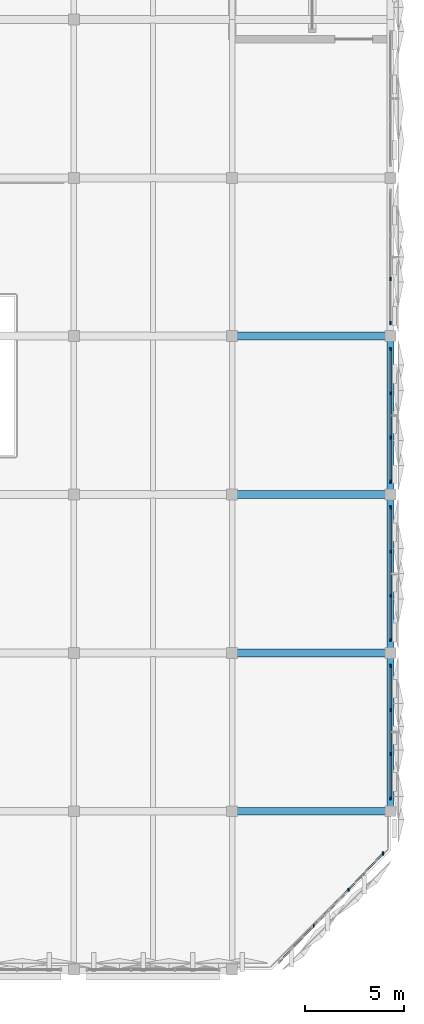
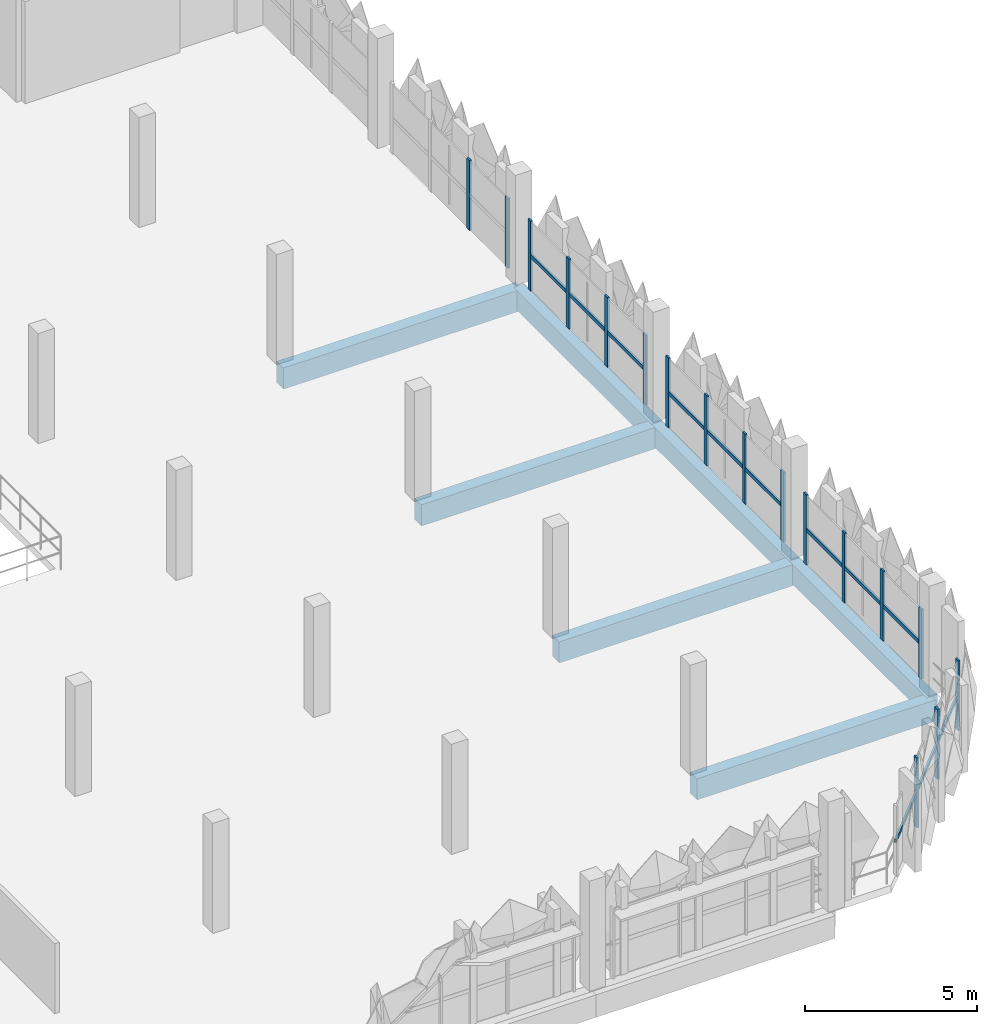
# One storey, part 19 of 83: 21 members, 7 beams, 5 elements without a shape of their own.
"""IFC4 building model written with IfcOpenShell, lengths in metres."""

from ifc_helpers import new_model, si_unit, derived_unit, direction, frame, origin, origin_2d, place, context, subcontext, project, spatial, rectangle, extrude, material, layer, layer_set, material_profile, profile_set, type_object, element, aggregate, save


model = new_model("IFC4")

# Units and contexts
model_context = context("Model", 3, precision=1e-05, world=origin(), true_north=direction((0.0, 1.0)))
body_context = subcontext(model_context, "Body", "Model", "MODEL_VIEW")
ifc_project = project(units=[si_unit("LENGTHUNIT", "METRE"), si_unit("AREAUNIT", "SQUARE_METRE"), si_unit("VOLUMEUNIT", "CUBIC_METRE"), si_unit("PLANEANGLEUNIT", "RADIAN"), si_unit("MASSUNIT", "GRAM", prefix="KILO"), si_unit("THERMODYNAMICTEMPERATUREUNIT", "KELVIN"), derived_unit("THERMALTRANSMITTANCEUNIT", [(si_unit("POWERUNIT", "WATT"), 1), (si_unit("AREAUNIT", "SQUARE_METRE"), -1), (si_unit("THERMODYNAMICTEMPERATUREUNIT", "KELVIN"), -1)])], contexts=[model_context])

# Site, building, storey
site_placement = place(None, origin())
site = spatial("IfcSite", under=ifc_project, at=site_placement, CompositionType="ELEMENT")
building_placement = place(site_placement, origin())
building = spatial("IfcBuilding", under=site, at=building_placement, Name="Haiyu Intermodal Mobility Hub", CompositionType="ELEMENT")
storey_placement = place(building_placement, frame((0.0, 0.0, 13.39990234375)))
storey = spatial("IfcBuildingStorey", under=building, at=storey_placement, Name="L03", CompositionType="ELEMENT", Elevation=13.39990234375)

# Beams
ifc_material_1 = material(Name="Concrete C40", Category="concrete")
ifc_material_profile_1 = material_profile(ifc_material_1, rectangle(XDim=0.39990234375, YDim=0.75, at=origin_2d()), Name="RCB400x750")
ifc_profile_set_1 = profile_set([ifc_material_profile_1], Name="Concrete C40")
beam_type_1 = type_object("IfcBeamType", Name="BM-CB03", PredefinedType="BEAM", material=ifc_profile_set_1)
for number, where, z_axis, x_axis, name in (
    (1, (202.0, 24.0, -0.635009765625), (1.0, 0.0, 0.0), (0.0, 1.0, 0.0), "BM-V5G-L03-013"),
    (2, (202.0, 32.0, -0.635009765625), (1.0, 0.0, 0.0), (0.0, 1.0, 0.0), "BM-V5G-L03-020"),
    (3, (202.0, 40.0, -0.635009765625), (1.0, 0.0, 0.0), (0.0, 1.0, 0.0), "BM-V5G-L03-027"),
    (4, (202.0, 48.0, -0.635009765625), (1.0, 0.0, 0.0), (0.0, 1.0, 0.0), "BM-V5G-L03-034"),
):
    element("IfcBeam", number, at=place(storey_placement, frame(where, z_axis=z_axis, x_axis=x_axis)), inside=storey, type_object=beam_type_1, Name=name, PredefinedType="BEAM", context=body_context, shape_type="SweptSolid", body=[
        extrude(rectangle(XDim=0.39990234375, YDim=0.75, at=origin_2d()), origin(), (0.0, 0.0, 1.0), 8.0),
    ])
ifc_material_profile_2 = material_profile(ifc_material_1, rectangle(XDim=0.35009765625, YDim=0.699951171875, at=origin_2d()), Name="RCB350x700")
ifc_profile_set_2 = profile_set([ifc_material_profile_2], Name="Concrete C40")
beam_type_2 = type_object("IfcBeamType", Name="BM-CB06", PredefinedType="BEAM", material=ifc_profile_set_2)
for number, where, z_axis, x_axis, name in (
    (5, (210.0, 24.0, -0.60986328125), (0.0, 1.0, 0.0), (-1.0, 0.0, 0.0), "BM-V5T-L03-057"),
    (6, (210.0, 32.0, -0.60986328125), (0.0, 1.0, 0.0), (-1.0, 0.0, 0.0), "BM-V5T-L03-058"),
    (7, (210.0, 40.0, -0.60986328125), (0.0, 1.0, 0.0), (-1.0, 0.0, 0.0), "BM-V5T-L03-059"),
):
    element("IfcBeam", number, at=place(storey_placement, frame(where, z_axis=z_axis, x_axis=x_axis)), inside=storey, type_object=beam_type_2, Name=name, PredefinedType="BEAM", context=body_context, shape_type="SweptSolid", body=[
        extrude(rectangle(XDim=0.35009765625, YDim=0.699951171875, at=origin_2d()), origin(), (0.0, 0.0, 1.0), 8.0),
    ])

# Curtain wall, members
ifc_material_2 = material(Name="Low-e laminated insulating glass", Category="glass")
ifc_layer = layer(ifc_material_2, 0.2099609375)
ifc_layer_set = layer_set([ifc_layer], Name="Low-e laminated insulating glass")
curtain_wall_type = type_object("IfcCurtainWallType", Name="CW-CW04", PredefinedType="NOTDEFINED", material=ifc_layer_set)
curtain_wall_1_placement = place(storey_placement, origin())
curtain_wall_1 = element("IfcCurtainWall", 8, at=curtain_wall_1_placement, inside=storey, type_object=curtain_wall_type, Name="Curtain Wall CW-V5E-L03-123", PredefinedType="NOTDEFINED")
ifc_material_3 = material(Name="Anodised aluminium 6063-T6", Category="aluminium")
ifc_material_profile_3 = material_profile(ifc_material_3, rectangle(XDim=0.06494140625, YDim=0.1650390625, at=origin_2d()), Name="ALU65x165")
ifc_profile_set_3 = profile_set([ifc_material_profile_3], Name="Anodised aluminium 6063-T6")
member_type_1 = type_object("IfcMemberType", Name="CWM-ML02", PredefinedType="MULLION", material=ifc_profile_set_3)
member_1_placement = place(storey_placement, frame((210.0, 24.659912109375, 0.0), z_axis=(0.0, 0.0, 1.0), x_axis=(1.0, 0.0, 0.0)))
member_1 = element("IfcMember", 9, at=member_1_placement, type_object=member_type_1, Name="CW-V5E-L03-123-ML01", PredefinedType="MULLION", context=body_context, shape_type="SweptSolid", body=[
    extrude(rectangle(XDim=0.06494140625, YDim=0.1650390625, at=origin_2d()), origin(), (0.0, 0.0, 1.0), 2.47998046875),
])
member_2_placement = place(storey_placement, frame((210.0, 26.886962890625, 0.0), z_axis=(0.0, 0.0, 1.0), x_axis=(1.0, 0.0, 0.0)))
member_2 = element("IfcMember", 10, at=member_2_placement, type_object=member_type_1, Name="CW-V5E-L03-123-ML02", PredefinedType="MULLION", context=body_context, shape_type="SweptSolid", body=[
    extrude(rectangle(XDim=0.06494140625, YDim=0.1650390625, at=origin_2d()), origin(), (0.0, 0.0, 1.0), 2.47998046875),
])
member_3_placement = place(storey_placement, frame((210.0, 29.113037109375, 0.0), z_axis=(0.0, 0.0, 1.0), x_axis=(1.0, 0.0, 0.0)))
member_3 = element("IfcMember", 11, at=member_3_placement, type_object=member_type_1, Name="CW-V5E-L03-123-ML03", PredefinedType="MULLION", context=body_context, shape_type="SweptSolid", body=[
    extrude(rectangle(XDim=0.06494140625, YDim=0.1650390625, at=origin_2d()), origin(), (0.0, 0.0, 1.0), 2.47998046875),
])
member_4_placement = place(storey_placement, frame((210.0, 31.340087890625, 0.0), z_axis=(0.0, 0.0, 1.0), x_axis=(1.0, 0.0, 0.0)))
member_4 = element("IfcMember", 12, at=member_4_placement, type_object=member_type_1, Name="CW-V5E-L03-123-ML04", PredefinedType="MULLION", context=body_context, shape_type="SweptSolid", body=[
    extrude(rectangle(XDim=0.06494140625, YDim=0.1650390625, at=origin_2d()), origin(), (0.0, 0.0, 1.0), 2.47998046875),
])

curtain_wall_2_placement = place(storey_placement, origin())
curtain_wall_2 = element("IfcCurtainWall", 13, at=curtain_wall_2_placement, inside=storey, type_object=curtain_wall_type, Name="Curtain Wall CW-V5E-L03-124", PredefinedType="NOTDEFINED")
member_5_placement = place(storey_placement, frame((210.0, 32.659912109375, 0.0), z_axis=(0.0, 0.0, 1.0), x_axis=(1.0, 0.0, 0.0)))
member_5 = element("IfcMember", 14, at=member_5_placement, type_object=member_type_1, Name="CW-V5E-L03-124-ML01", PredefinedType="MULLION", context=body_context, shape_type="SweptSolid", body=[
    extrude(rectangle(XDim=0.06494140625, YDim=0.1650390625, at=origin_2d()), origin(), (0.0, 0.0, 1.0), 2.47998046875),
])
member_6_placement = place(storey_placement, frame((210.0, 34.886962890625, 0.0), z_axis=(0.0, 0.0, 1.0), x_axis=(1.0, 0.0, 0.0)))
member_6 = element("IfcMember", 15, at=member_6_placement, type_object=member_type_1, Name="CW-V5E-L03-124-ML02", PredefinedType="MULLION", context=body_context, shape_type="SweptSolid", body=[
    extrude(rectangle(XDim=0.06494140625, YDim=0.1650390625, at=origin_2d()), origin(), (0.0, 0.0, 1.0), 2.47998046875),
])
member_7_placement = place(storey_placement, frame((210.0, 37.113037109375, 0.0), z_axis=(0.0, 0.0, 1.0), x_axis=(1.0, 0.0, 0.0)))
member_7 = element("IfcMember", 16, at=member_7_placement, type_object=member_type_1, Name="CW-V5E-L03-124-ML03", PredefinedType="MULLION", context=body_context, shape_type="SweptSolid", body=[
    extrude(rectangle(XDim=0.06494140625, YDim=0.1650390625, at=origin_2d()), origin(), (0.0, 0.0, 1.0), 2.47998046875),
])
member_8_placement = place(storey_placement, frame((210.0, 39.340087890625, 0.0), z_axis=(0.0, 0.0, 1.0), x_axis=(1.0, 0.0, 0.0)))
member_8 = element("IfcMember", 17, at=member_8_placement, type_object=member_type_1, Name="CW-V5E-L03-124-ML04", PredefinedType="MULLION", context=body_context, shape_type="SweptSolid", body=[
    extrude(rectangle(XDim=0.06494140625, YDim=0.1650390625, at=origin_2d()), origin(), (0.0, 0.0, 1.0), 2.47998046875),
])

curtain_wall_3_placement = place(storey_placement, origin())
curtain_wall_3 = element("IfcCurtainWall", 18, at=curtain_wall_3_placement, inside=storey, type_object=curtain_wall_type, Name="Curtain Wall CW-V5E-L03-125", PredefinedType="NOTDEFINED")
member_9_placement = place(storey_placement, frame((210.0, 40.659912109375, 0.0), z_axis=(0.0, 0.0, 1.0), x_axis=(1.0, 0.0, 0.0)))
member_9 = element("IfcMember", 19, at=member_9_placement, type_object=member_type_1, Name="CW-V5E-L03-125-ML01", PredefinedType="MULLION", context=body_context, shape_type="SweptSolid", body=[
    extrude(rectangle(XDim=0.06494140625, YDim=0.1650390625, at=origin_2d()), origin(), (0.0, 0.0, 1.0), 2.47998046875),
])
member_10_placement = place(storey_placement, frame((210.0, 42.886962890625, 0.0), z_axis=(0.0, 0.0, 1.0), x_axis=(1.0, 0.0, 0.0)))
member_10 = element("IfcMember", 20, at=member_10_placement, type_object=member_type_1, Name="CW-V5E-L03-125-ML02", PredefinedType="MULLION", context=body_context, shape_type="SweptSolid", body=[
    extrude(rectangle(XDim=0.06494140625, YDim=0.1650390625, at=origin_2d()), origin(), (0.0, 0.0, 1.0), 2.47998046875),
])
member_11_placement = place(storey_placement, frame((210.0, 45.113037109375, 0.0), z_axis=(0.0, 0.0, 1.0), x_axis=(1.0, 0.0, 0.0)))
member_11 = element("IfcMember", 21, at=member_11_placement, type_object=member_type_1, Name="CW-V5E-L03-125-ML03", PredefinedType="MULLION", context=body_context, shape_type="SweptSolid", body=[
    extrude(rectangle(XDim=0.06494140625, YDim=0.1650390625, at=origin_2d()), origin(), (0.0, 0.0, 1.0), 2.47998046875),
])
member_12_placement = place(storey_placement, frame((210.0, 47.340087890625, 0.0), z_axis=(0.0, 0.0, 1.0), x_axis=(1.0, 0.0, 0.0)))
member_12 = element("IfcMember", 22, at=member_12_placement, type_object=member_type_1, Name="CW-V5E-L03-125-ML04", PredefinedType="MULLION", context=body_context, shape_type="SweptSolid", body=[
    extrude(rectangle(XDim=0.06494140625, YDim=0.1650390625, at=origin_2d()), origin(), (0.0, 0.0, 1.0), 2.47998046875),
])

curtain_wall_4_placement = place(storey_placement, origin())
curtain_wall_4 = element("IfcCurtainWall", 23, at=curtain_wall_4_placement, inside=storey, type_object=curtain_wall_type, Name="Curtain Wall CW-V5E-L03-126", PredefinedType="NOTDEFINED")
member_13_placement = place(storey_placement, frame((210.0, 48.659912109375, 0.0), z_axis=(0.0, 0.0, 1.0), x_axis=(1.0, 0.0, 0.0)))
member_13 = element("IfcMember", 24, at=member_13_placement, type_object=member_type_1, Name="CW-V5E-L03-126-ML01", PredefinedType="MULLION", context=body_context, shape_type="SweptSolid", body=[
    extrude(rectangle(XDim=0.06494140625, YDim=0.1650390625, at=origin_2d()), origin(), (0.0, 0.0, 1.0), 2.47998046875),
])
member_14_placement = place(storey_placement, frame((210.0, 50.886962890625, 0.0), z_axis=(0.0, 0.0, 1.0), x_axis=(1.0, 0.0, 0.0)))
member_14 = element("IfcMember", 25, at=member_14_placement, type_object=member_type_1, Name="CW-V5E-L03-126-ML02", PredefinedType="MULLION", context=body_context, shape_type="SweptSolid", body=[
    extrude(rectangle(XDim=0.06494140625, YDim=0.1650390625, at=origin_2d()), origin(), (0.0, 0.0, 1.0), 2.47998046875),
])
aggregate(curtain_wall_4, [member_13, member_14])

curtain_wall_5_placement = place(storey_placement, origin())
curtain_wall_5 = element("IfcCurtainWall", 26, at=curtain_wall_5_placement, inside=storey, type_object=curtain_wall_type, Name="Curtain Wall CW-V5CH-L03-181", PredefinedType="NOTDEFINED")
member_15_placement = place(storey_placement, frame((206.1259765625, 18.2099609375, 0.0), z_axis=(0.0, 0.0, 1.0), x_axis=(1.0, 0.0, 0.0)))
member_15 = element("IfcMember", 27, at=member_15_placement, type_object=member_type_1, Name="CW-V5CH-L03-181-ML02", PredefinedType="MULLION", context=body_context, shape_type="SweptSolid", body=[
    extrude(rectangle(XDim=0.06494140625, YDim=0.1650390625, at=origin_2d()), origin(), (0.0, 0.0, 1.0), 2.47998046875),
])
member_16_placement = place(storey_placement, frame((207.8740234375, 20.0400390625, 0.0), z_axis=(0.0, 0.0, 1.0), x_axis=(1.0, 0.0, 0.0)))
member_16 = element("IfcMember", 28, at=member_16_placement, type_object=member_type_1, Name="CW-V5CH-L03-181-ML03", PredefinedType="MULLION", context=body_context, shape_type="SweptSolid", body=[
    extrude(rectangle(XDim=0.06494140625, YDim=0.1650390625, at=origin_2d()), origin(), (0.0, 0.0, 1.0), 2.47998046875),
])
member_17_placement = place(storey_placement, frame((209.6220703125, 21.87109375, 0.0), z_axis=(0.0, 0.0, 1.0), x_axis=(1.0, 0.0, 0.0)))
member_17 = element("IfcMember", 29, at=member_17_placement, type_object=member_type_1, Name="CW-V5CH-L03-181-ML04", PredefinedType="MULLION", context=body_context, shape_type="SweptSolid", body=[
    extrude(rectangle(XDim=0.06494140625, YDim=0.1650390625, at=origin_2d()), origin(), (0.0, 0.0, 1.0), 2.47998046875),
])

# Member
ifc_material_profile_4 = material_profile(ifc_material_3, rectangle(XDim=0.06494140625, YDim=0.135009765625, at=origin_2d()), Name="ALU65x135")
ifc_profile_set_4 = profile_set([ifc_material_profile_4], Name="Anodised aluminium 6063-T6")
member_type_2 = type_object("IfcMemberType", Name="CWM-TR02", PredefinedType="USERDEFINED", material=ifc_profile_set_4)
member_18_placement = place(storey_placement, frame((210.0, 24.6201171875, 1.239990234375), z_axis=(0.0, 1.0, 0.0), x_axis=(-1.0, 0.0, 0.0)))
member_18 = element("IfcMember", 30, at=member_18_placement, type_object=member_type_2, Name="CW-V5E-L03-123-TR01", ObjectType="TRANSOM", PredefinedType="USERDEFINED", context=body_context, shape_type="SweptSolid", body=[
    extrude(rectangle(XDim=0.06494140625, YDim=0.135009765625, at=origin_2d()), origin(), (0.0, 0.0, 1.0), 6.759765625),
])

aggregate(curtain_wall_1, [member_1, member_2, member_3, member_4, member_18])

member_19_placement = place(storey_placement, frame((210.0, 32.6201171875, 1.239990234375), z_axis=(0.0, 1.0, 0.0), x_axis=(-1.0, 0.0, 0.0)))
member_19 = element("IfcMember", 31, at=member_19_placement, type_object=member_type_2, Name="CW-V5E-L03-124-TR01", ObjectType="TRANSOM", PredefinedType="USERDEFINED", context=body_context, shape_type="SweptSolid", body=[
    extrude(rectangle(XDim=0.06494140625, YDim=0.135009765625, at=origin_2d()), origin(), (0.0, 0.0, 1.0), 6.759765625),
])

aggregate(curtain_wall_2, [member_5, member_6, member_7, member_8, member_19])

member_20_placement = place(storey_placement, frame((210.0, 40.6201171875, 1.239990234375), z_axis=(0.0, 1.0, 0.0), x_axis=(-1.0, 0.0, 0.0)))
member_20 = element("IfcMember", 32, at=member_20_placement, type_object=member_type_2, Name="CW-V5E-L03-125-TR01", ObjectType="TRANSOM", PredefinedType="USERDEFINED", context=body_context, shape_type="SweptSolid", body=[
    extrude(rectangle(XDim=0.06494140625, YDim=0.135009765625, at=origin_2d()), origin(), (0.0, 0.0, 1.0), 6.759765625),
])

aggregate(curtain_wall_3, [member_9, member_10, member_11, member_12, member_20])

member_21_placement = place(storey_placement, frame((204.35009765625, 16.35009765625, 1.239990234375), z_axis=(0.690630091683, 0.723208183349, 0.0), x_axis=(-0.723208183349, 0.690630091683, 0.0)))
member_21 = element("IfcMember", 33, at=member_21_placement, type_object=member_type_2, Name="CW-V5CH-L03-181-TR01", ObjectType="TRANSOM", PredefinedType="USERDEFINED", context=body_context, shape_type="SweptSolid", body=[
    extrude(rectangle(XDim=0.06494140625, YDim=0.135009765625, at=origin_2d()), origin(), (0.0, 0.0, 1.0), 7.673828125),
])

aggregate(curtain_wall_5, [member_15, member_16, member_17, member_21])

save(model, "model.ifc")
